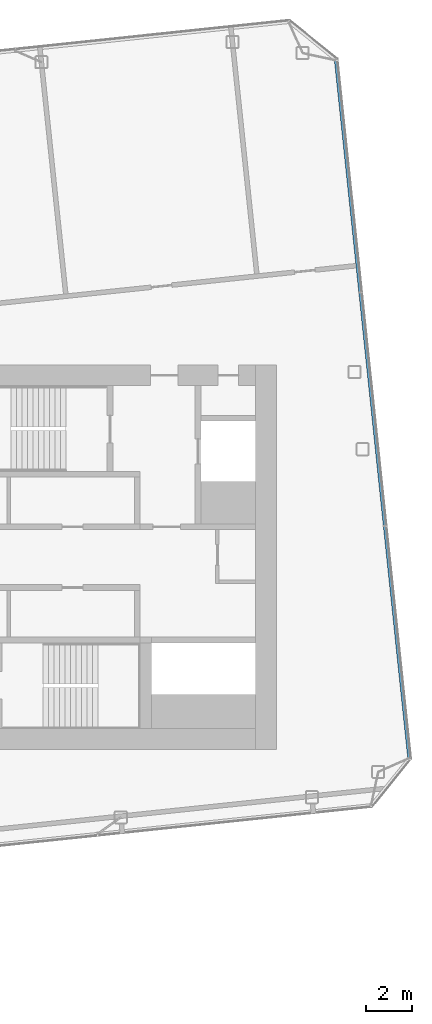
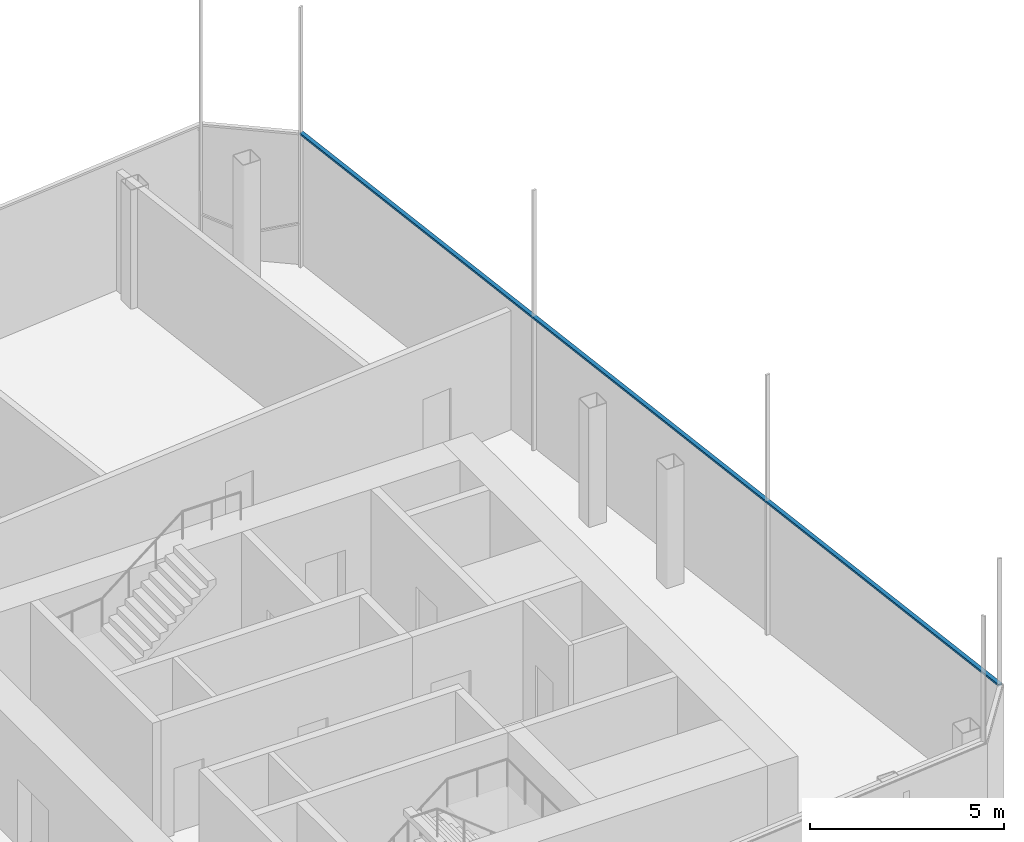
# One storey, part 14 of 41: 1 member, 1 element without a shape of its own.
"""IFC4 building model written with IfcOpenShell, lengths in metres."""

from ifc_helpers import new_model, si_unit, direction, frame, origin, origin_2d, place, context, subcontext, project, spatial, rectangle, extrude, material, layer, layer_set, material_profile, profile_set, type_object, element, aggregate, save


model = new_model("IFC4")

# Units and contexts
model_context = context("Model", 3, precision=1e-05, world=origin(), true_north=direction((0.0, 1.0)))
body_context = subcontext(model_context, "Body", "Model", "MODEL_VIEW")
ifc_project = project(units=[si_unit("LENGTHUNIT", "METRE"), si_unit("AREAUNIT", "SQUARE_METRE"), si_unit("VOLUMEUNIT", "CUBIC_METRE"), si_unit("PLANEANGLEUNIT", "RADIAN"), si_unit("MASSUNIT", "GRAM", prefix="KILO")], contexts=[model_context])

# Site, building, storey
site_placement = place(None, origin())
site = spatial("IfcSite", under=ifc_project, at=site_placement, CompositionType="ELEMENT")
building_placement = place(site_placement, origin())
building = spatial("IfcBuilding", under=site, at=building_placement, Name="Hakoniwa Tower and Hamabe Station Hall", CompositionType="ELEMENT")
storey_placement = place(building_placement, frame((0.0, 0.0, 276.60009765625)))
storey = spatial("IfcBuildingStorey", under=building, at=storey_placement, Name="L77", CompositionType="ELEMENT", Elevation=276.60009765625)

# Curtain wall, member
ifc_material_1 = material(Name="Dark low-e laminated glass", Category="glass")
ifc_layer = layer(ifc_material_1, 0.199951171875)
ifc_layer_set = layer_set([ifc_layer], Name="CW-4 CROWN FACETS")
curtain_wall_type = type_object("IfcCurtainWallType", Name="CW-4 CROWN FACETS", PredefinedType="NOTDEFINED", material=ifc_layer_set)
curtain_wall_placement = place(storey_placement, origin())
curtain_wall = element("IfcCurtainWall", 1, at=curtain_wall_placement, inside=storey, type_object=curtain_wall_type, Name="Crown skirt facet L77", PredefinedType="NOTDEFINED")
ifc_material_2 = material(Name="Aluminium 6063-T5 black anodised", Category="aluminium")
ifc_material_profile = material_profile(ifc_material_2, rectangle(XDim=0.06005859375, YDim=0.1201171875, at=origin_2d()), Name="CW-4 GLAZING BAR 60X120")
ifc_profile_set = profile_set([ifc_material_profile], Name="Aluminium 6063-T5 black anodised")
member_type = type_object("IfcMemberType", Name="CW-4 GLAZING BAR 60X120", PredefinedType="MULLION", material=ifc_profile_set)
member_placement = place(storey_placement, frame((36.197021484375, 21.74169921875, 4.199951171875), z_axis=(0.104524194202, -0.994522344056, 0.0), x_axis=(0.0, 0.0, -1.0)))
member = element("IfcMember", 2, at=member_placement, type_object=member_type, Name="Crown glazing bar", PredefinedType="MULLION", context=body_context, shape_type="SweptSolid", body=[
    extrude(rectangle(XDim=0.06005859375, YDim=0.1201171875, at=origin_2d()), origin(), (0.0, 0.0, 1.0), 30.70556640625),
])
aggregate(curtain_wall, [member])

save(model, "model.ifc")
